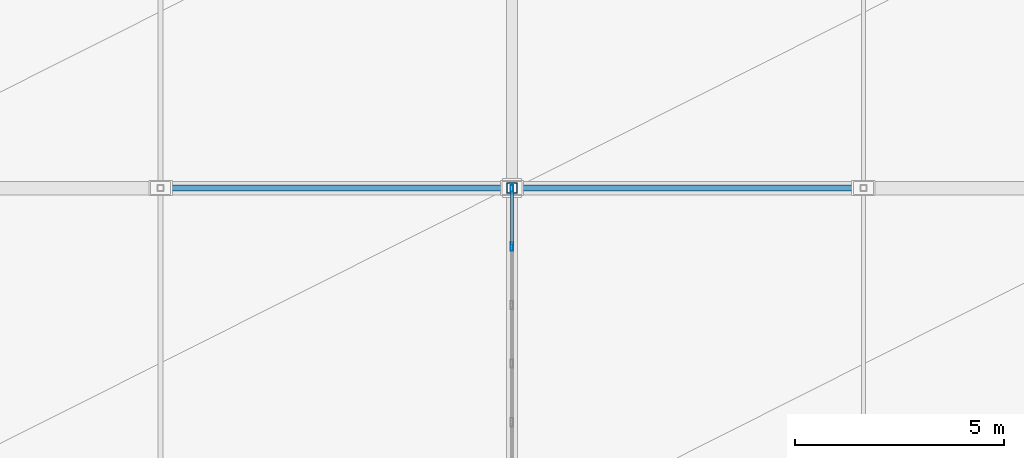
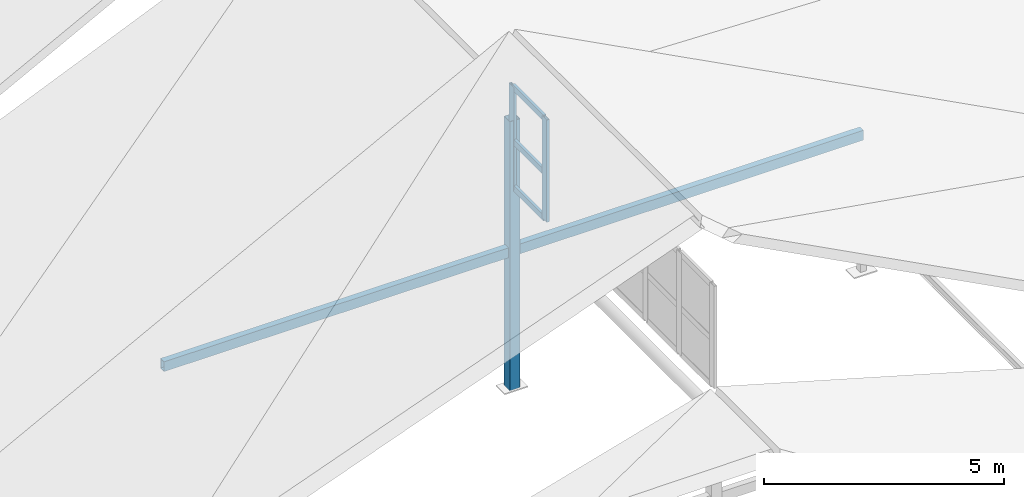
# One storey, part 15 of 76: 7 members, 1 element without a shape of its own.
"""IFC4 building model written with IfcOpenShell, lengths in metres."""

from ifc_helpers import new_model, si_unit, direction, frame, origin, origin_2d, place, context, subcontext, project, spatial, hollow_rectangle, extrude, material, layer, layer_set, material_profile, profile_set, type_object, element, aggregate, save


model = new_model("IFC4")

# Units and contexts
model_context = context("Model", 3, precision=1e-05, world=origin(), true_north=direction((0.0, 1.0)))
body_context = subcontext(model_context, "Body", "Model", "MODEL_VIEW")
ifc_project = project(units=[si_unit("LENGTHUNIT", "METRE"), si_unit("AREAUNIT", "SQUARE_METRE"), si_unit("VOLUMEUNIT", "CUBIC_METRE"), si_unit("PLANEANGLEUNIT", "RADIAN"), si_unit("MASSUNIT", "GRAM", prefix="KILO")], contexts=[model_context])

# Site, building, storey
site_placement = place(None, origin())
site = spatial("IfcSite", under=ifc_project, at=site_placement, CompositionType="ELEMENT")
building_placement = place(site_placement, origin())
building = spatial("IfcBuilding", under=site, at=building_placement, Name="Krzemoval Escarpment Law Courts", CompositionType="ELEMENT")
storey_placement = place(building_placement, frame((0.0, 0.0, 20.39990234375)))
storey = spatial("IfcBuildingStorey", under=building, at=storey_placement, Name="L04", CompositionType="ELEMENT", Elevation=20.39990234375)

# Curtain wall, members
ifc_material_1 = material(Name="Aluminium 6063-T6", Category="aluminium")
ifc_layer = layer(ifc_material_1, 0.199951171875)
ifc_layer_set = layer_set([ifc_layer], Name="Aluminium 6063-T6")
curtain_wall_type = type_object("IfcCurtainWallType", Name="CW-CLER-2800", PredefinedType="USERDEFINED", material=ifc_layer_set)
curtain_wall_placement = place(storey_placement, origin())
curtain_wall = element("IfcCurtainWall", 1, at=curtain_wall_placement, inside=storey, type_object=curtain_wall_type, Name="Clerestory Curtain Wall CW-CLER-V4-01", ObjectType="UNITISED_CURTAIN_WALL", PredefinedType="USERDEFINED")
ifc_material_2 = material(Name="Aluminium 6063-T6", Category="aluminium")
ifc_material_profile_1 = material_profile(ifc_material_2, hollow_rectangle(XDim=0.06494140625, YDim=0.199951171875, WallThickness=0.00439453125, at=origin_2d()), Name="ALU M65x200")
ifc_profile_set_1 = profile_set([ifc_material_profile_1], Name="Aluminium 6063-T6")
member_type_1 = type_object("IfcMemberType", Name="CWM-65x200", PredefinedType="MULLION", material=ifc_profile_set_1)
member_1_placement = place(storey_placement, frame((25.199951171875, 47.800048828125, 4.800048828125), z_axis=(0.0, 0.0, 1.0), x_axis=(-1.0, 0.0, 0.0)))
member_1 = element("IfcMember", 2, at=member_1_placement, type_object=member_type_1, Name="CW-CLER-V4-01 mullion 6", PredefinedType="MULLION", context=body_context, shape_type="SweptSolid", body=[
    extrude(hollow_rectangle(XDim=0.06494140625, YDim=0.199951171875, WallThickness=0.00439453125, at=origin_2d()), origin(), (0.0, 0.0, 1.0), 2.60009765625),
])
member_2_placement = place(storey_placement, frame((25.199951171875, 49.16748046875, 4.800048828125), z_axis=(0.0, 0.0, 1.0), x_axis=(-1.0, 0.0, 0.0)))
member_2 = element("IfcMember", 3, at=member_2_placement, type_object=member_type_1, Name="CW-CLER-V4-01 mullion 7", PredefinedType="MULLION", context=body_context, shape_type="SweptSolid", body=[
    extrude(hollow_rectangle(XDim=0.06494140625, YDim=0.199951171875, WallThickness=0.00439453125, at=origin_2d()), origin(), (0.0, 0.0, 1.0), 2.60009765625),
])
ifc_material_3 = material(Name="Aluminium 6063-T6", Category="aluminium")
ifc_material_profile_2 = material_profile(ifc_material_3, hollow_rectangle(XDim=0.06494140625, YDim=0.14990234375, WallThickness=0.00439453125, at=origin_2d()), Name="ALU T65x150")
ifc_profile_set_2 = profile_set([ifc_material_profile_2], Name="Aluminium 6063-T6")
member_type_2 = type_object("IfcMemberType", Name="CWT-65x150", PredefinedType="USERDEFINED", material=ifc_profile_set_2)
member_3_placement = place(storey_placement, frame((25.199951171875, 47.83251953125, 4.83251953125), z_axis=(0.0, 1.0, 0.0), x_axis=(-1.0, 0.0, 0.0)))
member_3 = element("IfcMember", 4, at=member_3_placement, type_object=member_type_2, Name="CW-CLER-V4-01 transom 6.1", ObjectType="TRANSOM", PredefinedType="USERDEFINED", context=body_context, shape_type="SweptSolid", body=[
    extrude(hollow_rectangle(XDim=0.06494140625, YDim=0.14990234375, WallThickness=0.00439453125, at=origin_2d()), origin(), (0.0, 0.0, 1.0), 1.302490234375),
])
member_4_placement = place(storey_placement, frame((25.199951171875, 47.83251953125, 6.0), z_axis=(0.0, 1.0, 0.0), x_axis=(-1.0, 0.0, 0.0)))
member_4 = element("IfcMember", 5, at=member_4_placement, type_object=member_type_2, Name="CW-CLER-V4-01 transom 6.2", ObjectType="TRANSOM", PredefinedType="USERDEFINED", context=body_context, shape_type="SweptSolid", body=[
    extrude(hollow_rectangle(XDim=0.06494140625, YDim=0.14990234375, WallThickness=0.00439453125, at=origin_2d()), origin(), (0.0, 0.0, 1.0), 1.302490234375),
])
member_5_placement = place(storey_placement, frame((25.199951171875, 47.83251953125, 7.36767578125), z_axis=(0.0, 1.0, 0.0), x_axis=(-1.0, 0.0, 0.0)))
member_5 = element("IfcMember", 6, at=member_5_placement, type_object=member_type_2, Name="CW-CLER-V4-01 transom 6.3", ObjectType="TRANSOM", PredefinedType="USERDEFINED", context=body_context, shape_type="SweptSolid", body=[
    extrude(hollow_rectangle(XDim=0.06494140625, YDim=0.14990234375, WallThickness=0.00439453125, at=origin_2d()), origin(), (0.0, 0.0, 1.0), 1.302490234375),
])
aggregate(curtain_wall, [member_1, member_2, member_3, member_4, member_5])

# Members
ifc_material_4 = material(Name="Steel S355", Category="steel")
ifc_material_profile_3 = material_profile(ifc_material_4, hollow_rectangle(XDim=0.14990234375, YDim=0.25, WallThickness=0.010009765625, at=origin_2d()), Name="RHS 250x150x10")
ifc_profile_set_3 = profile_set([ifc_material_profile_3], Name="Steel S355")
member_type_3 = type_object("IfcMemberType", Name="MBR-COL-RHS250", PredefinedType="COLLAR", material=ifc_profile_set_3)
member_6_placement = place(storey_placement, frame((16.800048828125, 49.199951171875, 3.2001953125), z_axis=(1.0, 0.0, 0.0), x_axis=(0.0, 1.0, 0.0)))
element("IfcMember", 7, at=member_6_placement, inside=storey, type_object=member_type_3, Name="Roof Collar Tie CL-0018", PredefinedType="COLLAR", context=body_context, shape_type="SweptSolid", body=[
    extrude(hollow_rectangle(XDim=0.14990234375, YDim=0.25, WallThickness=0.010009765625, at=origin_2d()), origin(), (0.0, 0.0, 1.0), 16.800048828125),
])
ifc_material_5 = material(Name="Steel S355", Category="steel")
ifc_material_profile_4 = material_profile(ifc_material_5, hollow_rectangle(XDim=0.25, YDim=0.25, WallThickness=0.012451171875, at=origin_2d()), Name="SHS 250x250x12.5")
ifc_profile_set_4 = profile_set([ifc_material_profile_4], Name="Steel S355")
member_type_4 = type_object("IfcMemberType", Name="MBR-STR-SHS250", PredefinedType="STRUT", material=ifc_profile_set_4)
member_7_placement = place(storey_placement, frame((25.199951171875, 49.199951171875, -0.27978515625), z_axis=(0.0, 0.0, 1.0), x_axis=(1.0, 0.0, 0.0)))
element("IfcMember", 8, at=member_7_placement, inside=storey, type_object=member_type_4, Name="Roof Truss King Strut ST-0013", PredefinedType="STRUT", context=body_context, shape_type="SweptSolid", body=[
    extrude(hollow_rectangle(XDim=0.25, YDim=0.25, WallThickness=0.012451171875, at=origin_2d()), origin(), (0.0, 0.0, 1.0), 6.829833984375),
])

save(model, "model.ifc")
